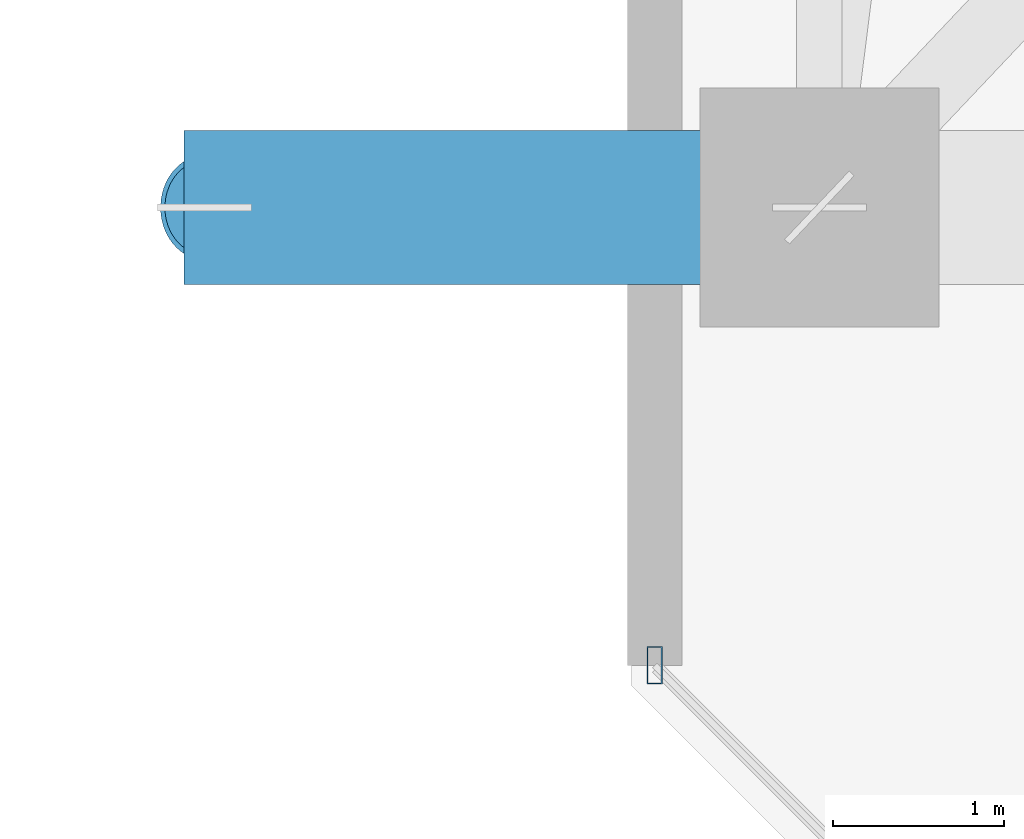
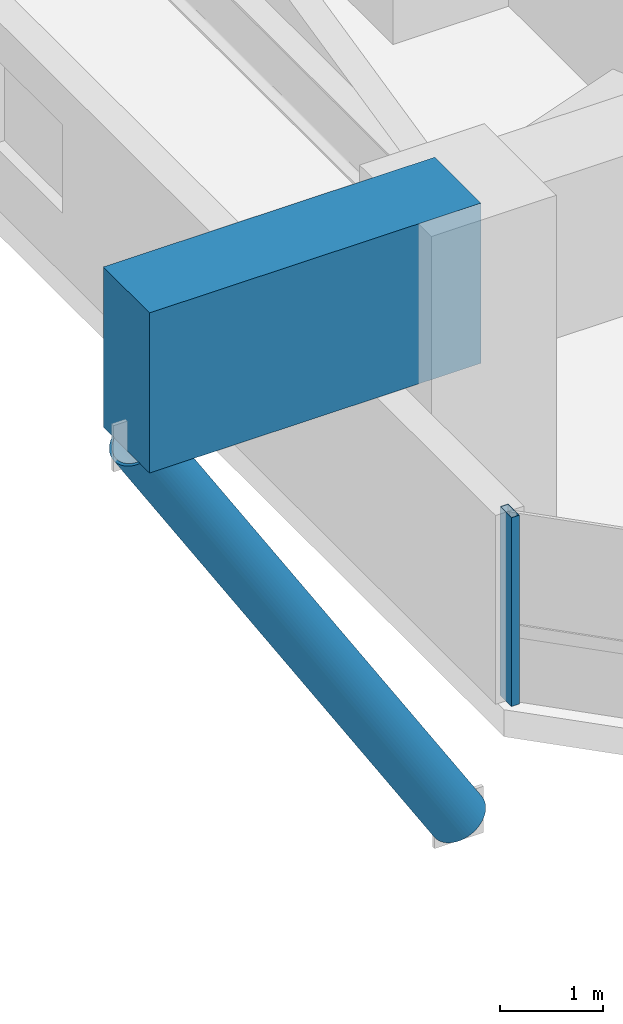
# One storey, part 6 of 38: 2 members, 1 beam, 1 element without a shape of its own.
"""IFC4 building model written with IfcOpenShell, lengths in metres."""

from ifc_helpers import new_model, si_unit, direction, frame, origin, origin_2d, place, context, subcontext, project, spatial, rectangle, hollow_rectangle, hollow_circle, extrude, material, material_profile, profile_set, type_object, element, aggregate, save


model = new_model("IFC4")

# Units and contexts
model_context = context("Model", 3, precision=1e-05, world=origin(), true_north=direction((0.0, 1.0)))
body_context = subcontext(model_context, "Body", "Model", "MODEL_VIEW")
ifc_project = project(units=[si_unit("LENGTHUNIT", "METRE"), si_unit("AREAUNIT", "SQUARE_METRE"), si_unit("VOLUMEUNIT", "CUBIC_METRE"), si_unit("PLANEANGLEUNIT", "RADIAN"), si_unit("MASSUNIT", "GRAM", prefix="KILO")], contexts=[model_context])

# Site, building, storey
site_placement = place(None, origin())
site = spatial("IfcSite", under=ifc_project, at=site_placement, CompositionType="ELEMENT")
building_placement = place(site_placement, origin())
building = spatial("IfcBuilding", under=site, at=building_placement, Name="Thornwick Lancets Civic Towers", CompositionType="ELEMENT")
storey_placement = place(building_placement, frame((0.0, 0.0, 71.699951171875)))
storey = spatial("IfcBuildingStorey", under=building, at=storey_placement, Name="L18", CompositionType="ELEMENT", Elevation=71.699951171875)

# Beam
ifc_material_1 = material(Name="Concrete C60/75", Category="concrete")
ifc_material_profile_1 = material_profile(ifc_material_1, rectangle(XDim=0.89990234375, YDim=1.89990234375, at=origin_2d()), Name="RC 900x1900")
ifc_profile_set_1 = profile_set([ifc_material_profile_1], Name="Concrete C60/75")
beam_type = type_object("IfcBeamType", Name="BM_TR_RC1900", PredefinedType="BEAM", material=ifc_profile_set_1)
beam_placement = place(storey_placement, frame((71.199951171875, 14.0, 3.25), z_axis=(-1.0, 0.0, 0.0), x_axis=(0.0, -1.0, 0.0)))
element("IfcBeam", 1, at=beam_placement, inside=storey, type_object=beam_type, Name="TG-CANT-L19-B07", PredefinedType="BEAM", context=body_context, shape_type="SweptSolid", body=[
    extrude(rectangle(XDim=0.89990234375, YDim=1.89990234375, at=origin_2d()), origin(), (0.0, 0.0, 1.0), 3.719970703125),
])

# Curtain wall, member
ifc_material_2 = material(Name="Low-zone chamfered-corner unitised glass curtain wall", Category="glass")
curtain_wall_type = type_object("IfcCurtainWallType", Name="CW_SYS_03", PredefinedType="NOTDEFINED", material=ifc_material_2)
curtain_wall_placement = place(storey_placement, origin())
curtain_wall = element("IfcCurtainWall", 2, at=curtain_wall_placement, inside=storey, type_object=curtain_wall_type, Name="L18 Curtain Wall CW-L18-B-E7", PredefinedType="NOTDEFINED")
ifc_material_3 = material(Name="Thermally broken bronze aluminium S355", Category="steel")
ifc_material_profile_2 = material_profile(ifc_material_3, hollow_rectangle(XDim=0.090087890625, YDim=0.219970703125, WallThickness=0.00634765625, at=origin_2d()), Name="RHS 220x90x6.3")
ifc_profile_set_2 = profile_set([ifc_material_profile_2], Name="Thermally broken bronze aluminium S355")
member_type_1 = type_object("IfcMemberType", Name="CW_MUL_220", PredefinedType="MULLION", material=ifc_profile_set_2)
member_1_placement = place(storey_placement, frame((70.235107421875, 11.31884765625, 0.0), z_axis=(0.0, 0.0, 1.0), x_axis=(1.0, 0.0, 0.0)))
member_1 = element("IfcMember", 3, at=member_1_placement, type_object=member_type_1, Name="CW-L18-B-E7 Mullion 0", PredefinedType="MULLION", context=body_context, shape_type="SweptSolid", body=[
    extrude(hollow_rectangle(XDim=0.090087890625, YDim=0.219970703125, WallThickness=0.00634765625, at=origin_2d()), origin(), (0.0, 0.0, 1.0), 2.239990234375),
])
aggregate(curtain_wall, [member_1])

# Member
ifc_material_4 = material(Name="Steel S460M", Category="steel")
ifc_material_profile_3 = material_profile(ifc_material_4, hollow_circle(Radius=0.304931640625, WallThickness=0.030029296875, at=origin_2d()), Name="CHS 610x30")
ifc_profile_set_3 = profile_set([ifc_material_profile_3], Name="Steel S460M")
member_type_2 = type_object("IfcMemberType", Name="MEM_STRUT_CHS610", PredefinedType="STRUT", material=ifc_profile_set_3)
member_2_placement = place(storey_placement, frame((71.199951171875, 14.0, -3.349853515625), z_axis=(-0.531975728187, 0.0, 0.846759602614), x_axis=(0.0, -1.0, 0.0)))
element("IfcMember", 4, at=member_2_placement, inside=storey, type_object=member_type_2, Name="L19 Jenga Transfer Raking Strut B07", PredefinedType="STRUT", context=body_context, shape_type="SweptSolid", body=[
    extrude(hollow_circle(Radius=0.304931640625, WallThickness=0.030029296875, at=origin_2d()), origin(), (0.0, 0.0, 1.0), 6.766845703125),
])

save(model, "model.ifc")
